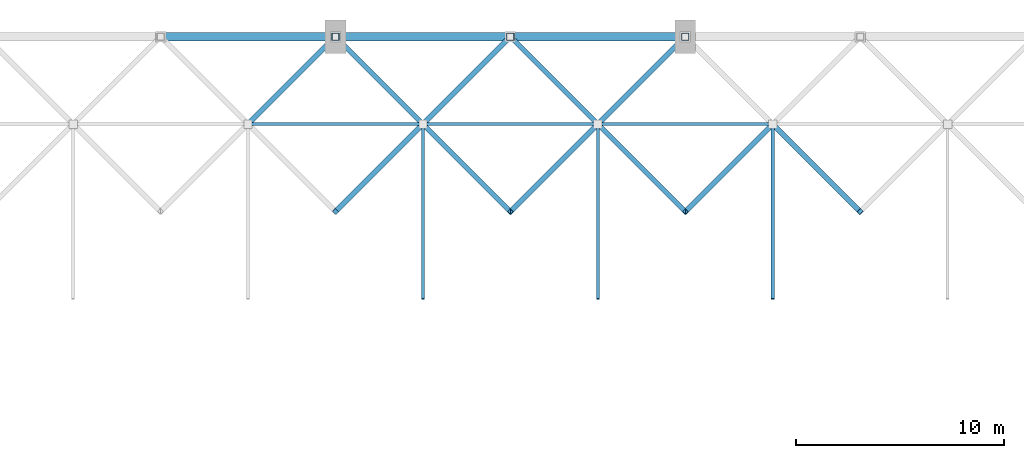
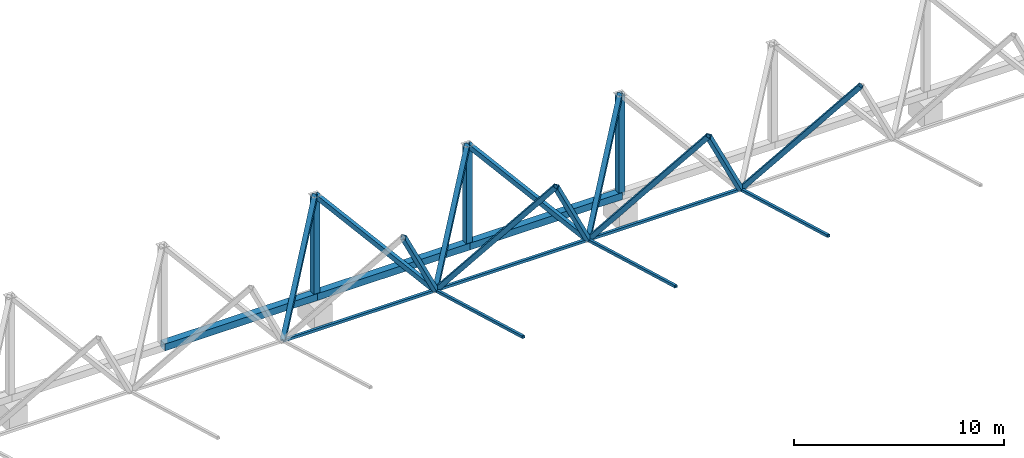
# One storey, part 59 of 163: 23 members.
"""IFC4 building model written with IfcOpenShell, lengths in metres."""

from ifc_helpers import new_model, si_unit, direction, frame, origin, origin_2d, place, context, subcontext, project, spatial, hollow_rectangle, extrude, material, material_profile, profile_set, type_object, element, save


model = new_model("IFC4")

# Units and contexts
model_context = context("Model", 3, precision=1e-05, world=origin(), true_north=direction((0.0, 1.0)))
body_context = subcontext(model_context, "Body", "Model", "MODEL_VIEW")
ifc_project = project(units=[si_unit("LENGTHUNIT", "METRE"), si_unit("AREAUNIT", "SQUARE_METRE"), si_unit("VOLUMEUNIT", "CUBIC_METRE"), si_unit("PLANEANGLEUNIT", "RADIAN"), si_unit("MASSUNIT", "GRAM", prefix="KILO")], contexts=[model_context])

# Site, building, storey
site_placement = place(None, origin())
site = spatial("IfcSite", under=ifc_project, at=site_placement, CompositionType="ELEMENT")
building_placement = place(site_placement, origin())
building = spatial("IfcBuilding", under=site, at=building_placement, Name="Rain Tree Exposition and Congress Centre", CompositionType="ELEMENT")
storey_placement = place(building_placement, frame((0.0, 0.0, 10.5)))
storey = spatial("IfcBuildingStorey", under=building, at=storey_placement, Name="L02", CompositionType="ELEMENT", Elevation=10.5)

# Members
ifc_material_1 = material(Name="Steel S355J2H", Category="steel")
ifc_material_profile_1 = material_profile(ifc_material_1, hollow_rectangle(XDim=0.25, YDim=0.25, WallThickness=0.006103515625, at=origin_2d()), Name="RHS 250x250x6")
ifc_profile_set_1 = profile_set([ifc_material_profile_1], Name="Steel S355J2H")
member_type_1 = type_object("IfcMemberType", Name="Steel brace member RHS 250x250x6", PredefinedType="BRACE", material=ifc_profile_set_1)
member_1_placement = place(storey_placement, frame((71.39990234375, 197.39990234375, 2.87353515625), z_axis=(0.564699033018, 0.564699033018, 0.60185546788), x_axis=(-0.707106781187, 0.707106781187, 0.0)))
element("IfcMember", 1, at=member_1_placement, inside=storey, type_object=member_type_1, Name="Diagonal 1314", PredefinedType="BRACE", context=body_context, shape_type="SweptSolid", body=[
    extrude(hollow_rectangle(XDim=0.25, YDim=0.25, WallThickness=0.006103515625, at=origin_2d()), origin(), (0.0, 0.0, 1.0), 7.43798828125),
])
for number, where, z_axis, x_axis, name in (
    (2, (79.800048828125, 197.39990234375, 2.87353515625), (-0.453966434812, -0.453966434812, 0.766700040517), (0.707106781187, -0.707106781187, 0.0), "Diagonal 1316"),
    (3, (79.800048828125, 197.39990234375, 2.87353515625), (0.453966434812, -0.453966434812, 0.766700040517), (0.707106781187, 0.707106781187, 0.0), "Diagonal 1317"),
):
    element("IfcMember", number, at=place(storey_placement, frame(where, z_axis=z_axis, x_axis=x_axis)), inside=storey, type_object=member_type_1, Name=name, PredefinedType="BRACE", context=body_context, shape_type="SweptSolid", body=[
        extrude(hollow_rectangle(XDim=0.25, YDim=0.25, WallThickness=0.006103515625, at=origin_2d()), origin(), (0.0, 0.0, 1.0), 9.251708984375),
    ])
for number, where, z_axis, x_axis, name in (
    (4, (79.800048828125, 197.39990234375, 2.87353515625), (-0.564676675678, 0.564709499992, 0.601866623567), (-0.707127332136, -0.70708622964, 0.0), "Diagonal 1318"),
    (5, (79.800048828125, 197.39990234375, 2.87353515625), (0.564676675678, 0.564709499992, 0.601866623567), (-0.707127332136, 0.70708622964, 0.0), "Diagonal 1319"),
):
    element("IfcMember", number, at=place(storey_placement, frame(where, z_axis=z_axis, x_axis=x_axis)), inside=storey, type_object=member_type_1, Name=name, PredefinedType="BRACE", context=body_context, shape_type="SweptSolid", body=[
        extrude(hollow_rectangle(XDim=0.25, YDim=0.25, WallThickness=0.006103515625, at=origin_2d()), origin(), (0.0, 0.0, 1.0), 7.437744140625),
    ])
for number, where, z_axis, x_axis, name in (
    (6, (88.199951171875, 197.39990234375, 2.87353515625), (-0.453966434812, -0.453966434812, 0.766700040517), (0.707106781187, -0.707106781187, 0.0), "Diagonal 1321"),
    (7, (88.199951171875, 197.39990234375, 2.87353515625), (0.453966434812, -0.453966434812, 0.766700040517), (0.707106781187, 0.707106781187, 0.0), "Diagonal 1322"),
):
    element("IfcMember", number, at=place(storey_placement, frame(where, z_axis=z_axis, x_axis=x_axis)), inside=storey, type_object=member_type_1, Name=name, PredefinedType="BRACE", context=body_context, shape_type="SweptSolid", body=[
        extrude(hollow_rectangle(XDim=0.25, YDim=0.25, WallThickness=0.006103515625, at=origin_2d()), origin(), (0.0, 0.0, 1.0), 9.251708984375),
    ])
for number, where, z_axis, x_axis, name in (
    (8, (88.199951171875, 197.39990234375, 2.87353515625), (-0.564676675678, 0.564709499992, 0.601866623567), (-0.707127332136, -0.70708622964, 0.0), "Diagonal 1323"),
    (9, (88.199951171875, 197.39990234375, 2.87353515625), (0.564676675678, 0.564709499992, 0.601866623567), (-0.707127332136, 0.70708622964, 0.0), "Diagonal 1324"),
):
    element("IfcMember", number, at=place(storey_placement, frame(where, z_axis=z_axis, x_axis=x_axis)), inside=storey, type_object=member_type_1, Name=name, PredefinedType="BRACE", context=body_context, shape_type="SweptSolid", body=[
        extrude(hollow_rectangle(XDim=0.25, YDim=0.25, WallThickness=0.006103515625, at=origin_2d()), origin(), (0.0, 0.0, 1.0), 7.437744140625),
    ])
for number, where, z_axis, x_axis, name in (
    (10, (96.60009765625, 197.39990234375, 2.87353515625), (-0.453987384881, -0.453960996403, 0.766690855635), (0.70708622964, -0.707127332136, 0.0), "Diagonal 1326"),
    (11, (96.60009765625, 197.39990234375, 2.87353515625), (0.453966434812, -0.453966434812, 0.766700040517), (0.707106781187, 0.707106781187, 0.0), "Diagonal 1327"),
):
    element("IfcMember", number, at=place(storey_placement, frame(where, z_axis=z_axis, x_axis=x_axis)), inside=storey, type_object=member_type_1, Name=name, PredefinedType="BRACE", context=body_context, shape_type="SweptSolid", body=[
        extrude(hollow_rectangle(XDim=0.25, YDim=0.25, WallThickness=0.006103515625, at=origin_2d()), origin(), (0.0, 0.0, 1.0), 9.251708984375),
    ])
ifc_material_2 = material(Name="Steel S355J2H", Category="steel")
ifc_material_profile_2 = material_profile(ifc_material_2, hollow_rectangle(XDim=0.14990234375, YDim=0.14990234375, WallThickness=0.00439453125, at=origin_2d()), Name="RHS 150x150x4.5")
ifc_profile_set_2 = profile_set([ifc_material_profile_2], Name="Steel S355J2H")
member_type_2 = type_object("IfcMemberType", Name="Steel chord member RHS 150x150x4.5", PredefinedType="CHORD", material=ifc_profile_set_2)
for number, where, z_axis, x_axis, name in (
    (12, (79.800048828125, 189.0, 5.232666015625), (0.0, 0.9627506985, -0.27039062953), (-1.0, 0.0, 0.0), "Bottom chord 1246"),
    (13, (88.199951171875, 189.0, 5.232666015625), (0.0, 0.9627506985, -0.27039062953), (-1.0, 0.0, 0.0), "Bottom chord 1252"),
    (14, (96.60009765625, 189.0, 5.232666015625), (0.0, 0.9627506985, -0.27039062953), (-1.0, 0.0, 0.0), "Bottom chord 1258"),
):
    element("IfcMember", number, at=place(storey_placement, frame(where, z_axis=z_axis, x_axis=x_axis)), inside=storey, type_object=member_type_2, Name=name, PredefinedType="CHORD", context=body_context, shape_type="SweptSolid", body=[
        extrude(hollow_rectangle(XDim=0.14990234375, YDim=0.14990234375, WallThickness=0.00439453125, at=origin_2d()), origin(), (0.0, 0.0, 1.0), 8.724853515625),
    ])
member_2_placement = place(storey_placement, frame((71.39990234375, 197.39990234375, 2.87353515625), z_axis=(1.0, 0.0, 0.0), x_axis=(0.0, 1.0, 0.0)))
element("IfcMember", 15, at=member_2_placement, inside=storey, type_object=member_type_2, Name="Bottom chord 1315", PredefinedType="CHORD", context=body_context, shape_type="SweptSolid", body=[
    extrude(hollow_rectangle(XDim=0.14990234375, YDim=0.14990234375, WallThickness=0.00439453125, at=origin_2d()), origin(), (0.0, 0.0, 1.0), 8.400146484375),
])
member_3_placement = place(storey_placement, frame((79.800048828125, 197.39990234375, 2.87353515625), z_axis=(1.0, 0.0, 0.0), x_axis=(0.0, 1.0, 0.0)))
element("IfcMember", 16, at=member_3_placement, inside=storey, type_object=member_type_2, Name="Bottom chord 1320", PredefinedType="CHORD", context=body_context, shape_type="SweptSolid", body=[
    extrude(hollow_rectangle(XDim=0.14990234375, YDim=0.14990234375, WallThickness=0.00439453125, at=origin_2d()), origin(), (0.0, 0.0, 1.0), 8.39990234375),
])
member_4_placement = place(storey_placement, frame((88.199951171875, 197.39990234375, 2.87353515625), z_axis=(1.0, 0.0, 0.0), x_axis=(0.0, 1.0, 0.0)))
element("IfcMember", 17, at=member_4_placement, inside=storey, type_object=member_type_2, Name="Bottom chord 1325", PredefinedType="CHORD", context=body_context, shape_type="SweptSolid", body=[
    extrude(hollow_rectangle(XDim=0.14990234375, YDim=0.14990234375, WallThickness=0.00439453125, at=origin_2d()), origin(), (0.0, 0.0, 1.0), 8.400146484375),
])
ifc_material_3 = material(Name="Steel S355J2H", Category="steel")
ifc_material_profile_3 = material_profile(ifc_material_3, hollow_rectangle(XDim=0.39990234375, YDim=0.39990234375, WallThickness=0.011962890625, at=origin_2d()), Name="RHS 400x400x12")
ifc_profile_set_3 = profile_set([ifc_material_profile_3], Name="Steel S355J2H")
member_type_3 = type_object("IfcMemberType", Name="Steel chord member RHS 400x400x12", PredefinedType="CHORD", material=ifc_profile_set_3)
member_5_placement = place(storey_placement, frame((67.199951171875, 201.60009765625, 1.5), z_axis=(1.0, 0.0, 0.0), x_axis=(0.0, 1.0, 0.0)))
element("IfcMember", 18, at=member_5_placement, inside=storey, type_object=member_type_3, Name="Eaves chord 1381", PredefinedType="CHORD", context=body_context, shape_type="SweptSolid", body=[
    extrude(hollow_rectangle(XDim=0.39990234375, YDim=0.39990234375, WallThickness=0.011962890625, at=origin_2d()), origin(), (0.0, 0.0, 1.0), 8.400146484375),
])
for number, where, z_axis, x_axis, name in (
    (19, (75.60009765625, 201.60009765625, 1.5), (1.0, 0.0, 0.0), (0.0, 1.0, 0.0), "Eaves chord 1382"),
    (20, (84.0, 201.60009765625, 1.5), (1.0, 0.0, 0.0), (0.0, 1.0, 0.0), "Eaves chord 1383"),
):
    element("IfcMember", number, at=place(storey_placement, frame(where, z_axis=z_axis, x_axis=x_axis)), inside=storey, type_object=member_type_3, Name=name, PredefinedType="CHORD", context=body_context, shape_type="SweptSolid", body=[
        extrude(hollow_rectangle(XDim=0.39990234375, YDim=0.39990234375, WallThickness=0.011962890625, at=origin_2d()), origin(), (0.0, 0.0, 1.0), 8.39990234375),
    ])
ifc_material_4 = material(Name="Steel S355J2H", Category="steel")
ifc_material_profile_4 = material_profile(ifc_material_4, hollow_rectangle(XDim=0.35009765625, YDim=0.35009765625, WallThickness=0.009033203125, at=origin_2d()), Name="RHS 350x350x9")
ifc_profile_set_4 = profile_set([ifc_material_profile_4], Name="Steel S355J2H")
member_type_4 = type_object("IfcMemberType", Name="Steel post member RHS 350x350x9", PredefinedType="POST", material=ifc_profile_set_4)
for number, where, z_axis, x_axis, name in (
    (21, (75.60009765625, 201.60009765625, 1.5), (0.0, 0.0, 1.0), (1.0, 0.0, 0.0), "Eaves post 1396"),
    (22, (84.0, 201.60009765625, 1.5), (0.0, 0.0, 1.0), (1.0, 0.0, 0.0), "Eaves post 1397"),
    (23, (92.39990234375, 201.60009765625, 1.5), (0.0, 0.0, 1.0), (1.0, 0.0, 0.0), "Eaves post 1398"),
):
    element("IfcMember", number, at=place(storey_placement, frame(where, z_axis=z_axis, x_axis=x_axis)), inside=storey, type_object=member_type_4, Name=name, PredefinedType="POST", context=body_context, shape_type="SweptSolid", body=[
        extrude(hollow_rectangle(XDim=0.35009765625, YDim=0.35009765625, WallThickness=0.009033203125, at=origin_2d()), origin(), (0.0, 0.0, 1.0), 5.85009765625),
    ])

save(model, "model.ifc")
